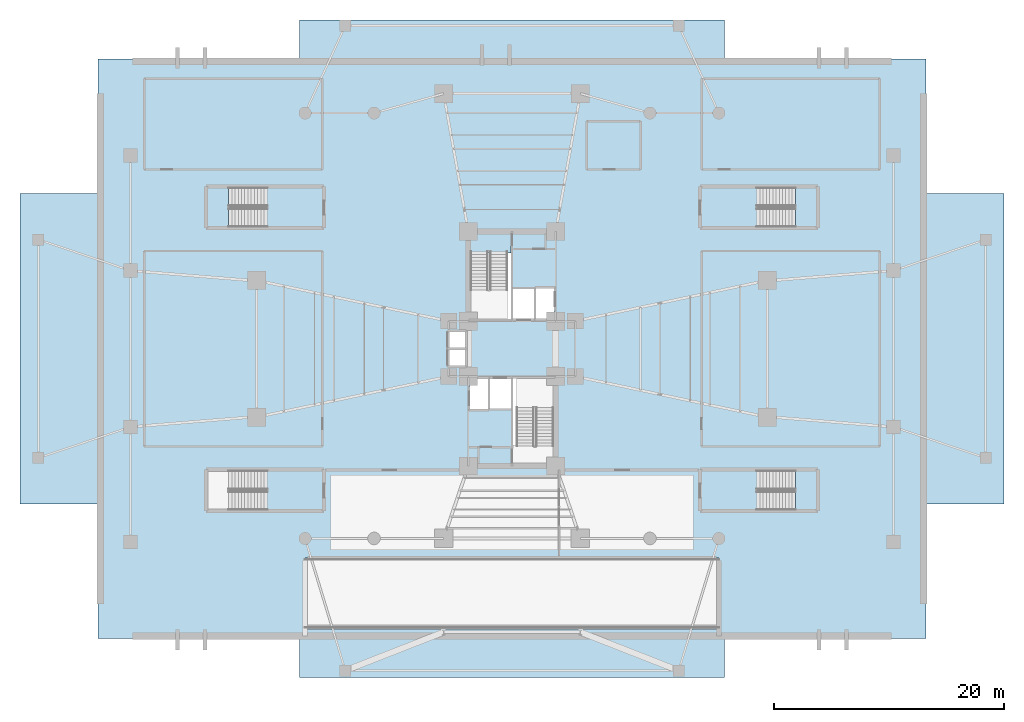
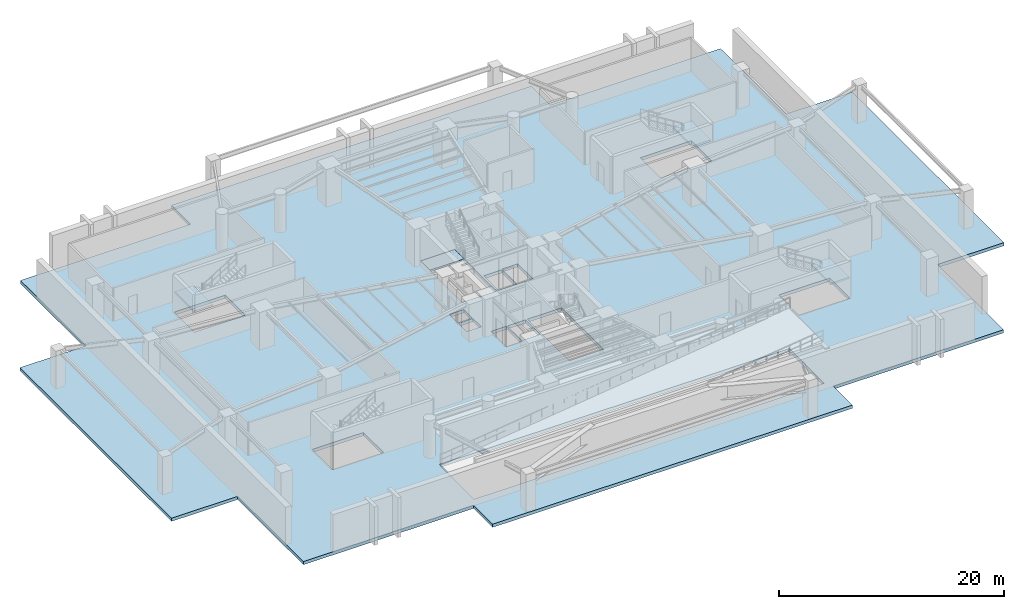
# One storey, part 5 of 14: 5 slabs, 3 elements without a shape of their own.
"""IFC4 building model written with IfcOpenShell, lengths in metres."""

from ifc_helpers import new_model, si_unit, direction, frame, origin, place, context, subcontext, project, spatial, polyline, outline, extrude, material, layer, layer_set, type_object, element, aggregate, save


model = new_model("IFC4")

# Units and contexts
model_context = context("Model", 3, precision=1e-05, world=origin(), true_north=direction((0.0, 1.0)))
body_context = subcontext(model_context, "Body", "Model", "MODEL_VIEW")
ifc_project = project(units=[si_unit("LENGTHUNIT", "METRE"), si_unit("AREAUNIT", "SQUARE_METRE"), si_unit("VOLUMEUNIT", "CUBIC_METRE"), si_unit("PLANEANGLEUNIT", "RADIAN"), si_unit("MASSUNIT", "GRAM", prefix="KILO")], contexts=[model_context])

# Site, building, storey
site_placement = place(None, origin())
site = spatial("IfcSite", under=ifc_project, at=site_placement, CompositionType="ELEMENT")
building_placement = place(site_placement, origin())
building = spatial("IfcBuilding", under=site, at=building_placement, Name="Sahyath Konkavel Grand Hotel", CompositionType="ELEMENT")
storey_placement = place(building_placement, frame((0.0, 0.0, -4.5)))
storey = spatial("IfcBuildingStorey", under=building, at=storey_placement, Name="B1", CompositionType="ELEMENT", Elevation=-4.5)

# Slabs
ifc_material_1 = material(Name="Concrete C50/60", Category="concrete")
ifc_layer_1 = layer(ifc_material_1, 0.35009765625)
ifc_layer_set_1 = layer_set([ifc_layer_1], Name="Concrete C50/60")
slab_type_1 = type_object("IfcSlabType", Name="SLB-350", PredefinedType="FLOOR", material=ifc_layer_set_1)
slab_1_placement = place(storey_placement, frame((0.0, 0.0, -0.35009765625)))
element("IfcSlab", 1, at=slab_1_placement, inside=storey, type_object=slab_type_1, Name="B1 Structural Floor Slab", PredefinedType="FLOOR", context=body_context, shape_type="SweptSolid", body=[
    extrude(outline(polyline([(-18.5, -28.60009765625), (18.5, -28.60009765625), (18.5, -25.199951171875), (36.0, -25.199951171875), (36.0, -13.5), (42.800048828125, -13.5), (42.800048828125, 13.5), (36.0, 13.5), (36.0, 25.199951171875), (18.5, 25.199951171875), (18.5, 28.60009765625), (-18.5, 28.60009765625), (-18.5, 25.199951171875), (-36.0, 25.199951171875), (-36.0, 13.5), (-42.800048828125, 13.5), (-42.800048828125, -13.5), (-36.0, -13.5), (-36.0, -25.199951171875), (-18.5, -25.199951171875), (-18.5, -28.60009765625)]), holes=[polyline([(-3.6201171875, 2.580078125), (-0.10009765625, 2.580078125), (-0.10009765625, 10.02001953125), (-3.6201171875, 10.02001953125), (-3.6201171875, 2.580078125)]), polyline([(0.10009765625, -10.02001953125), (3.6201171875, -10.02001953125), (3.6201171875, -2.580078125), (0.10009765625, -2.580078125), (0.10009765625, -10.02001953125)]), polyline([(-26.60009765625, 10.52001953125), (-21.35009765625, 10.52001953125), (-21.35009765625, 14.10009765625), (-26.60009765625, 14.10009765625), (-26.60009765625, 10.52001953125)]), polyline([(21.35009765625, 10.52001953125), (26.60009765625, 10.52001953125), (26.60009765625, 14.10009765625), (21.35009765625, 14.10009765625), (21.35009765625, 10.52001953125)]), polyline([(-26.60009765625, -14.10009765625), (-21.35009765625, -14.10009765625), (-21.35009765625, -10.52001953125), (-26.60009765625, -10.52001953125), (-26.60009765625, -14.10009765625)]), polyline([(21.35009765625, -14.10009765625), (26.60009765625, -14.10009765625), (26.60009765625, -10.52001953125), (21.35009765625, -10.52001953125), (21.35009765625, -14.10009765625)]), polyline([(-18.0, -24.39990234375), (18.0, -24.39990234375), (18.0, -18.199951171875), (-18.0, -18.199951171875), (-18.0, -24.39990234375)]), polyline([(0.10009765625, 2.60009765625), (1.949951171875, 2.60009765625), (1.949951171875, 5.199951171875), (0.10009765625, 5.199951171875), (0.10009765625, 2.60009765625)]), polyline([(-1.949951171875, -5.199951171875), (-0.10009765625, -5.199951171875), (-0.10009765625, -2.60009765625), (-1.949951171875, -2.60009765625), (-1.949951171875, -5.199951171875)]), polyline([(2.050048828125, 2.60009765625), (3.64990234375, 2.60009765625), (3.64990234375, 5.300048828125), (2.050048828125, 5.300048828125), (2.050048828125, 2.60009765625)]), polyline([(-3.64990234375, -5.300048828125), (-2.050048828125, -5.300048828125), (-2.050048828125, -2.60009765625), (-3.64990234375, -2.60009765625), (-3.64990234375, -5.300048828125)]), polyline([(-5.550048828125, 0.080078125), (-4.050048828125, 0.080078125), (-4.050048828125, 1.5400390625), (-5.550048828125, 1.5400390625), (-5.550048828125, 0.080078125)]), polyline([(-5.550048828125, -1.5400390625), (-4.050048828125, -1.5400390625), (-4.050048828125, -0.080078125), (-5.550048828125, -0.080078125), (-5.550048828125, -1.5400390625)])]), origin(), (0.0, 0.0, 1.0), 0.35009765625),
])
ifc_material_2 = material(Name="Concrete C40/50", Category="concrete")
ifc_layer_2 = layer(ifc_material_2, 0.199951171875)
ifc_layer_set_2 = layer_set([ifc_layer_2], Name="Concrete C40/50")
slab_type_2 = type_object("IfcSlabType", Name="SLB-STAIR-LND", PredefinedType="LANDING", material=ifc_layer_set_2)
slab_2_placement = place(storey_placement, frame((0.0, 0.0, -0.199951171875)))
element("IfcSlab", 2, at=slab_2_placement, inside=storey, type_object=slab_type_2, Name="B1 Stair ST-1 Floor Landing Slab", PredefinedType="LANDING", context=body_context, shape_type="SweptSolid", body=[
    extrude(outline(polyline([(-3.6201171875, 8.35009765625), (-0.10009765625, 8.35009765625), (-0.10009765625, 10.02001953125), (-3.6201171875, 10.02001953125), (-3.6201171875, 8.35009765625)])), origin(), (0.0, 0.0, 1.0), 0.199951171875),
])

# Stair, slab
stair_type = type_object("IfcStairType", Name="STR-ST16-450", PredefinedType="HALF_TURN_STAIR", material=ifc_material_2)
stair_1_placement = place(storey_placement, origin())
stair_1 = element("IfcStair", 3, at=stair_1_placement, inside=storey, type_object=stair_type, Name="B1 Podium Protected Exit Stair ST-P1", PredefinedType="HALF_TURN_STAIR")
slab_3_placement = place(storey_placement, frame((0.0, 0.0, 2.050048828125)))
slab_3 = element("IfcSlab", 4, at=slab_3_placement, type_object=slab_type_2, Name="ST-P1 landing 1", PredefinedType="LANDING", context=body_context, shape_type="SweptSolid", body=[
    extrude(outline(polyline([(-24.64990234375, 14.0400390625), (-26.580078125, 14.0400390625), (-26.580078125, 10.580078125), (-24.64990234375, 10.580078125), (-24.64990234375, 14.0400390625)])), origin(), (0.0, 0.0, 1.0), 0.199951171875),
])
aggregate(stair_1, [slab_3])

stair_2_placement = place(storey_placement, origin())
stair_2 = element("IfcStair", 5, at=stair_2_placement, inside=storey, type_object=stair_type, Name="B1 Podium Protected Exit Stair ST-P2", PredefinedType="HALF_TURN_STAIR")
slab_4_placement = place(storey_placement, frame((0.0, 0.0, 2.050048828125)))
slab_4 = element("IfcSlab", 6, at=slab_4_placement, type_object=slab_type_2, Name="ST-P2 landing 1", PredefinedType="LANDING", context=body_context, shape_type="SweptSolid", body=[
    extrude(outline(polyline([(24.64990234375, 10.580078125), (26.580078125, 10.580078125), (26.580078125, 14.0400390625), (24.64990234375, 14.0400390625), (24.64990234375, 10.580078125)])), origin(), (0.0, 0.0, 1.0), 0.199951171875),
])
aggregate(stair_2, [slab_4])

stair_3_placement = place(storey_placement, origin())
stair_3 = element("IfcStair", 7, at=stair_3_placement, inside=storey, type_object=stair_type, Name="B1 Podium Protected Exit Stair ST-P4", PredefinedType="HALF_TURN_STAIR")
slab_5_placement = place(storey_placement, frame((0.0, 0.0, 2.050048828125)))
slab_5 = element("IfcSlab", 8, at=slab_5_placement, type_object=slab_type_2, Name="ST-P4 landing 1", PredefinedType="LANDING", context=body_context, shape_type="SweptSolid", body=[
    extrude(outline(polyline([(24.64990234375, -14.0400390625), (26.580078125, -14.0400390625), (26.580078125, -10.580078125), (24.64990234375, -10.580078125), (24.64990234375, -14.0400390625)])), origin(), (0.0, 0.0, 1.0), 0.199951171875),
])
aggregate(stair_3, [slab_5])

save(model, "model.ifc")
